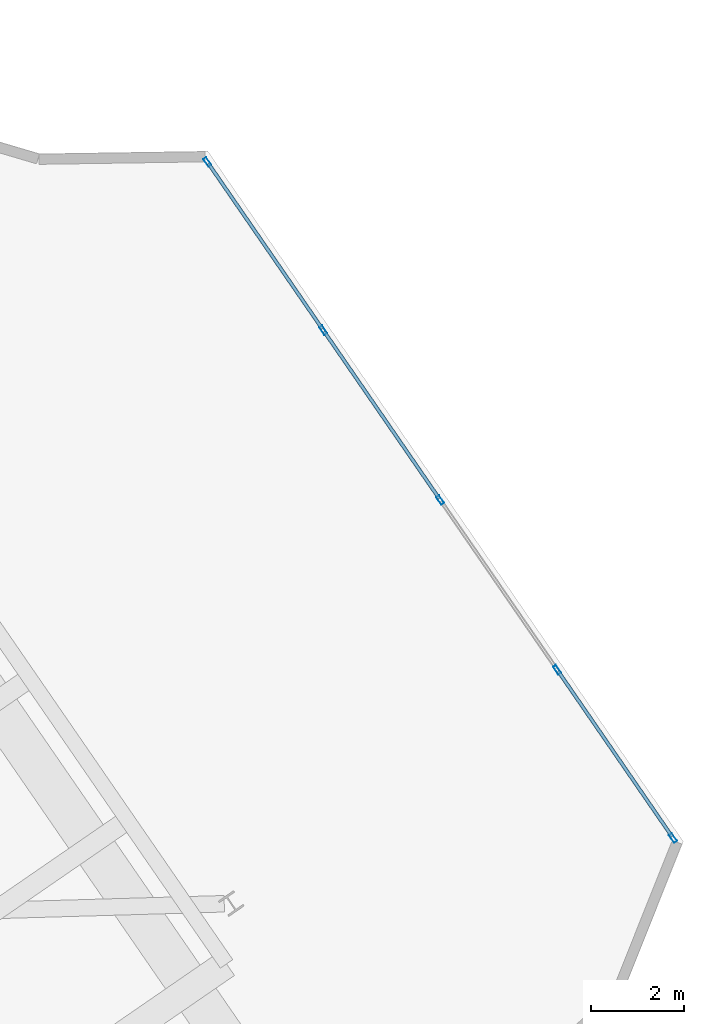
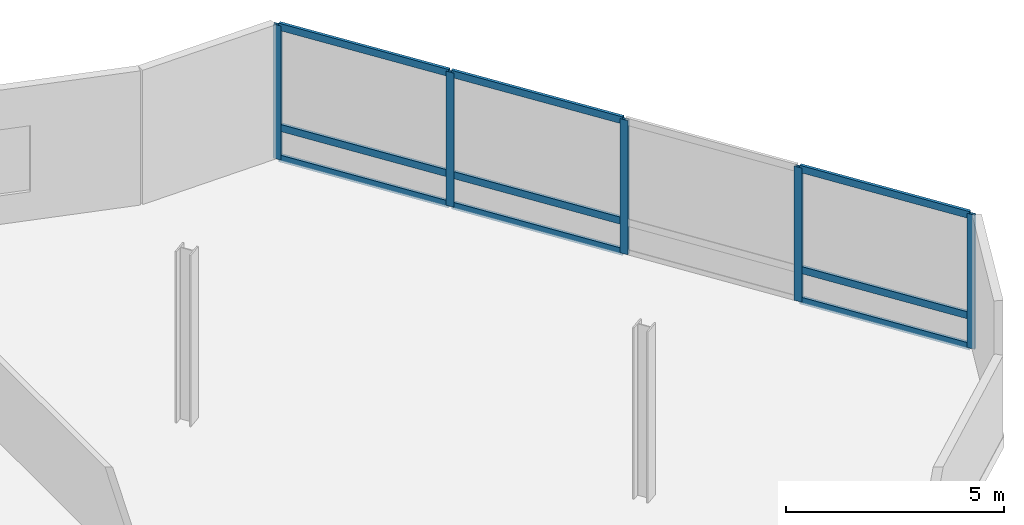
# One storey, part 9 of 15: 14 members, 1 element without a shape of its own.
"""IFC4 building model written with IfcOpenShell, lengths in metres."""

from ifc_helpers import new_model, si_unit, direction, frame, origin, origin_2d, place, context, subcontext, project, spatial, hollow_rectangle, extrude, material, layer, layer_set, material_profile, profile_set, type_object, element, aggregate, save


model = new_model("IFC4")

# Units and contexts
model_context = context("Model", 3, precision=1e-05, world=origin(), true_north=direction((0.0, 1.0)))
body_context = subcontext(model_context, "Body", "Model", "MODEL_VIEW")
ifc_project = project(units=[si_unit("LENGTHUNIT", "METRE"), si_unit("AREAUNIT", "SQUARE_METRE"), si_unit("VOLUMEUNIT", "CUBIC_METRE"), si_unit("PLANEANGLEUNIT", "RADIAN"), si_unit("MASSUNIT", "GRAM", prefix="KILO")], contexts=[model_context])

# Site, building, storey
site_placement = place(None, origin())
site = spatial("IfcSite", under=ifc_project, at=site_placement, CompositionType="ELEMENT")
building_placement = place(site_placement, origin())
building = spatial("IfcBuilding", under=site, at=building_placement, Name="Varnelok Gate Tower", CompositionType="ELEMENT")
storey_placement = place(building_placement, frame((0.0, 0.0, 291.5)))
storey = spatial("IfcBuildingStorey", under=building, at=storey_placement, Name="L75", CompositionType="ELEMENT", Elevation=291.5)

# Curtain wall, members
ifc_material = material(Name="Anodized Aluminum Alloy 6063-T6", Category="aluminium")
ifc_layer = layer(ifc_material, 0.179931640625)
ifc_layer_set = layer_set([ifc_layer], Name="Anodized Aluminum Alloy 6063-T6")
curtain_wall_type = type_object("IfcCurtainWallType", Name="CW6-CROWN-LOOKOUT", PredefinedType="USERDEFINED", material=ifc_layer_set)
curtain_wall_placement = place(storey_placement, origin())
curtain_wall = element("IfcCurtainWall", 1, at=curtain_wall_placement, inside=storey, type_object=curtain_wall_type, Name="L75 East End Vision Curtain Wall", ObjectType="STRUCTURAL GLAZING", PredefinedType="USERDEFINED")
ifc_material_profile_1 = material_profile(ifc_material, hollow_rectangle(XDim=0.074951171875, YDim=0.199951171875, WallThickness=0.00390625, at=origin_2d()), Name="ALU200X75X4")
ifc_profile_set_1 = profile_set([ifc_material_profile_1], Name="Anodized Aluminum Alloy 6063-T6")
member_type_1 = type_object("IfcMemberType", Name="CW-MULL-200", PredefinedType="MULLION", material=ifc_profile_set_1)
member_1_placement = place(storey_placement, frame((67.603515625, 55.56591796875, 0.0), z_axis=(0.0, 0.0, 1.0), x_axis=(0.823533701309, 0.567267346856, 0.0)))
member_1 = element("IfcMember", 2, at=member_1_placement, type_object=member_type_1, Name="CW6 mullion 1", PredefinedType="MULLION", context=body_context, shape_type="SweptSolid", body=[
    extrude(hollow_rectangle(XDim=0.074951171875, YDim=0.199951171875, WallThickness=0.00390625, at=origin_2d()), origin(), (0.0, 0.0, 1.0), 3.760009765625),
])
member_2_placement = place(storey_placement, frame((70.09228515625, 51.95263671875, 0.0), z_axis=(0.0, 0.0, 1.0), x_axis=(0.823533701309, 0.567267346856, 0.0)))
member_2 = element("IfcMember", 3, at=member_2_placement, type_object=member_type_1, Name="CW6 mullion 2", PredefinedType="MULLION", context=body_context, shape_type="SweptSolid", body=[
    extrude(hollow_rectangle(XDim=0.074951171875, YDim=0.199951171875, WallThickness=0.00390625, at=origin_2d()), origin(), (0.0, 0.0, 1.0), 3.760009765625),
])
member_3_placement = place(storey_placement, frame((72.6025390625, 48.308349609375, 0.0), z_axis=(0.0, 0.0, 1.0), x_axis=(0.823533701309, 0.567267346856, 0.0)))
member_3 = element("IfcMember", 4, at=member_3_placement, type_object=member_type_1, Name="CW6 mullion 3", PredefinedType="MULLION", context=body_context, shape_type="SweptSolid", body=[
    extrude(hollow_rectangle(XDim=0.074951171875, YDim=0.199951171875, WallThickness=0.00390625, at=origin_2d()), origin(), (0.0, 0.0, 1.0), 3.760009765625),
])
member_4_placement = place(storey_placement, frame((75.112548828125, 44.664306640625, 0.0), z_axis=(0.0, 0.0, 1.0), x_axis=(0.823533701309, 0.567267346856, 0.0)))
member_4 = element("IfcMember", 5, at=member_4_placement, type_object=member_type_1, Name="CW6 mullion 4", PredefinedType="MULLION", context=body_context, shape_type="SweptSolid", body=[
    extrude(hollow_rectangle(XDim=0.074951171875, YDim=0.199951171875, WallThickness=0.00390625, at=origin_2d()), origin(), (0.0, 0.0, 1.0), 3.760009765625),
])
member_5_placement = place(storey_placement, frame((77.6015625, 41.051025390625, 0.0), z_axis=(0.0, 0.0, 1.0), x_axis=(0.823533701309, 0.567267346856, 0.0)))
member_5 = element("IfcMember", 6, at=member_5_placement, type_object=member_type_1, Name="CW6 mullion 5", PredefinedType="MULLION", context=body_context, shape_type="SweptSolid", body=[
    extrude(hollow_rectangle(XDim=0.074951171875, YDim=0.199951171875, WallThickness=0.00390625, at=origin_2d()), origin(), (0.0, 0.0, 1.0), 3.760009765625),
])
ifc_material_profile_2 = material_profile(ifc_material, hollow_rectangle(XDim=0.074951171875, YDim=0.199951171875, WallThickness=0.00390625, at=origin_2d()), Name="ALU200X75X4")
ifc_profile_set_2 = profile_set([ifc_material_profile_2], Name="Anodized Aluminum Alloy 6063-T6")
member_type_2 = type_object("IfcMemberType", Name="CW-TRAN-200", PredefinedType="USERDEFINED", material=ifc_profile_set_2)
member_6_placement = place(storey_placement, frame((67.624755859375, 55.534912109375, 0.03759765625), z_axis=(0.567256604687, -0.823541100637, 0.0), x_axis=(0.823541100637, 0.567256604687, 0.0)))
member_6 = element("IfcMember", 7, at=member_6_placement, type_object=member_type_2, Name="CW6 transom 1.1", ObjectType="TRANSOM", PredefinedType="USERDEFINED", context=body_context, shape_type="SweptSolid", body=[
    extrude(hollow_rectangle(XDim=0.074951171875, YDim=0.199951171875, WallThickness=0.00390625, at=origin_2d()), origin(), (0.0, 0.0, 1.0), 4.3125),
])
member_7_placement = place(storey_placement, frame((67.624755859375, 55.534912109375, 0.89990234375), z_axis=(0.567256604687, -0.823541100637, 0.0), x_axis=(0.823541100637, 0.567256604687, 0.0)))
member_7 = element("IfcMember", 8, at=member_7_placement, type_object=member_type_2, Name="CW6 transom 1.2", ObjectType="TRANSOM", PredefinedType="USERDEFINED", context=body_context, shape_type="SweptSolid", body=[
    extrude(hollow_rectangle(XDim=0.074951171875, YDim=0.199951171875, WallThickness=0.00390625, at=origin_2d()), origin(), (0.0, 0.0, 1.0), 4.3125),
])
member_8_placement = place(storey_placement, frame((67.624755859375, 55.534912109375, 3.722412109375), z_axis=(0.567256604687, -0.823541100637, 0.0), x_axis=(0.823541100637, 0.567256604687, 0.0)))
member_8 = element("IfcMember", 9, at=member_8_placement, type_object=member_type_2, Name="CW6 transom 1.3", ObjectType="TRANSOM", PredefinedType="USERDEFINED", context=body_context, shape_type="SweptSolid", body=[
    extrude(hollow_rectangle(XDim=0.074951171875, YDim=0.199951171875, WallThickness=0.00390625, at=origin_2d()), origin(), (0.0, 0.0, 1.0), 4.3125),
])
member_9_placement = place(storey_placement, frame((70.113525390625, 51.921630859375, 0.03759765625), z_axis=(0.567302698822, -0.823509349012, 0.0), x_axis=(0.823509349012, 0.567302698822, 0.0)))
member_9 = element("IfcMember", 10, at=member_9_placement, type_object=member_type_2, Name="CW6 transom 2.1", ObjectType="TRANSOM", PredefinedType="USERDEFINED", context=body_context, shape_type="SweptSolid", body=[
    extrude(hollow_rectangle(XDim=0.074951171875, YDim=0.199951171875, WallThickness=0.00390625, at=origin_2d()), origin(), (0.0, 0.0, 1.0), 4.35009765625),
])
member_10_placement = place(storey_placement, frame((70.113525390625, 51.921630859375, 0.89990234375), z_axis=(0.567302698822, -0.823509349012, 0.0), x_axis=(0.823509349012, 0.567302698822, 0.0)))
member_10 = element("IfcMember", 11, at=member_10_placement, type_object=member_type_2, Name="CW6 transom 2.2", ObjectType="TRANSOM", PredefinedType="USERDEFINED", context=body_context, shape_type="SweptSolid", body=[
    extrude(hollow_rectangle(XDim=0.074951171875, YDim=0.199951171875, WallThickness=0.00390625, at=origin_2d()), origin(), (0.0, 0.0, 1.0), 4.35009765625),
])
member_11_placement = place(storey_placement, frame((70.113525390625, 51.921630859375, 3.722412109375), z_axis=(0.567302698822, -0.823509349012, 0.0), x_axis=(0.823509349012, 0.567302698822, 0.0)))
member_11 = element("IfcMember", 12, at=member_11_placement, type_object=member_type_2, Name="CW6 transom 2.3", ObjectType="TRANSOM", PredefinedType="USERDEFINED", context=body_context, shape_type="SweptSolid", body=[
    extrude(hollow_rectangle(XDim=0.074951171875, YDim=0.199951171875, WallThickness=0.00390625, at=origin_2d()), origin(), (0.0, 0.0, 1.0), 4.35009765625),
])
member_12_placement = place(storey_placement, frame((75.134033203125, 44.633544921875, 0.03759765625), z_axis=(0.567256604687, -0.823541100637, 0.0), x_axis=(0.823541100637, 0.567256604687, 0.0)))
member_12 = element("IfcMember", 13, at=member_12_placement, type_object=member_type_2, Name="CW6 transom 4.1", ObjectType="TRANSOM", PredefinedType="USERDEFINED", context=body_context, shape_type="SweptSolid", body=[
    extrude(hollow_rectangle(XDim=0.074951171875, YDim=0.199951171875, WallThickness=0.00390625, at=origin_2d()), origin(), (0.0, 0.0, 1.0), 4.3125),
])
member_13_placement = place(storey_placement, frame((75.134033203125, 44.633544921875, 0.89990234375), z_axis=(0.567256604687, -0.823541100637, 0.0), x_axis=(0.823541100637, 0.567256604687, 0.0)))
member_13 = element("IfcMember", 14, at=member_13_placement, type_object=member_type_2, Name="CW6 transom 4.2", ObjectType="TRANSOM", PredefinedType="USERDEFINED", context=body_context, shape_type="SweptSolid", body=[
    extrude(hollow_rectangle(XDim=0.074951171875, YDim=0.199951171875, WallThickness=0.00390625, at=origin_2d()), origin(), (0.0, 0.0, 1.0), 4.3125),
])
member_14_placement = place(storey_placement, frame((75.134033203125, 44.633544921875, 3.722412109375), z_axis=(0.567256604687, -0.823541100637, 0.0), x_axis=(0.823541100637, 0.567256604687, 0.0)))
member_14 = element("IfcMember", 15, at=member_14_placement, type_object=member_type_2, Name="CW6 transom 4.3", ObjectType="TRANSOM", PredefinedType="USERDEFINED", context=body_context, shape_type="SweptSolid", body=[
    extrude(hollow_rectangle(XDim=0.074951171875, YDim=0.199951171875, WallThickness=0.00390625, at=origin_2d()), origin(), (0.0, 0.0, 1.0), 4.3125),
])
aggregate(curtain_wall, [member_1, member_2, member_3, member_4, member_5, member_6, member_7, member_8, member_9, member_10, member_11, member_12, member_13, member_14])

save(model, "model.ifc")
